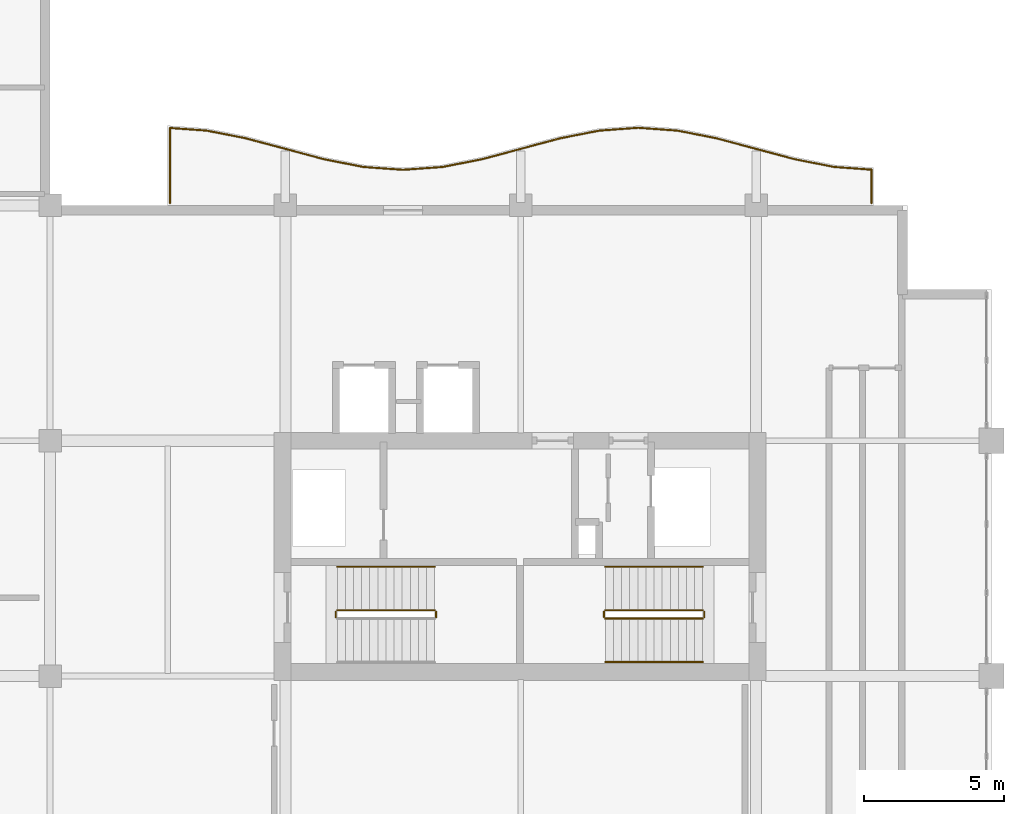
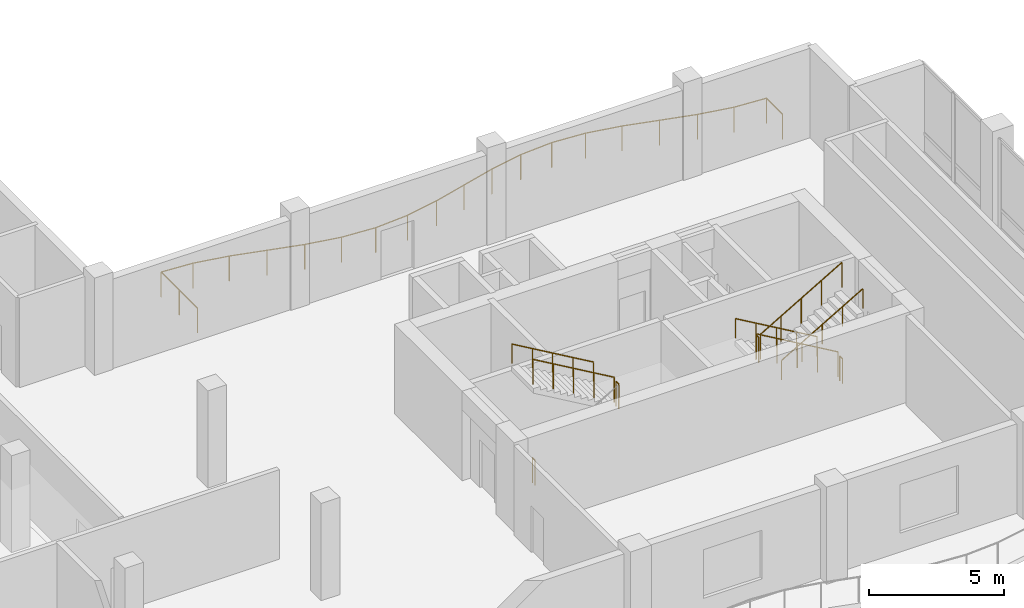
# One storey, part 14 of 15: 11 railings.
"""IFC4 building model written with IfcOpenShell, lengths in metres."""

from ifc_helpers import new_model, si_unit, direction, frame, origin, origin_2d, place, context, subcontext, project, spatial, circle, extrude, material, type_object, element, save


model = new_model("IFC4")

# Units and contexts
model_context = context("Model", 3, precision=1e-05, world=origin(), true_north=direction((0.0, 1.0)))
body_context = subcontext(model_context, "Body", "Model", "MODEL_VIEW")
ifc_project = project(units=[si_unit("LENGTHUNIT", "METRE"), si_unit("AREAUNIT", "SQUARE_METRE"), si_unit("VOLUMEUNIT", "CUBIC_METRE"), si_unit("PLANEANGLEUNIT", "RADIAN"), si_unit("MASSUNIT", "GRAM", prefix="KILO")], contexts=[model_context])

# Site, building, storey
site_placement = place(None, origin())
site = spatial("IfcSite", under=ifc_project, at=site_placement, CompositionType="ELEMENT")
building_placement = place(site_placement, origin())
building = spatial("IfcBuilding", under=site, at=building_placement, Name="Koriwani Terraces Tower", CompositionType="ELEMENT")
storey_placement = place(building_placement, frame((0.0, 0.0, 290.39990234375)))
storey = spatial("IfcBuildingStorey", under=building, at=storey_placement, Name="L72", CompositionType="ELEMENT", Elevation=290.39990234375)

# Railings
ifc_material = material(Name="Steel ASTM A572 Grade 50", Category="steel")
railing_type_1 = type_object("IfcRailingType", Name="GUARD_BALUSTRADE_1150", PredefinedType="BALUSTRADE", material=ifc_material)
railing_1_placement = place(storey_placement, frame((62.919921875, 33.679931640625, 0.0)))
element("IfcRailing", 1, at=railing_1_placement, inside=storey, type_object=railing_type_1, Name="L72 Balcony Perimeter Safety Balustrade (NE)", PredefinedType="BALUSTRADE", context=body_context, shape_type="SweptSolid", body=[
    extrude(circle(Radius=0.02392578125, at=origin_2d()), frame((0.0, 0.0, 1.1259765625), z_axis=(0.0, 1.0, 0.0), x_axis=(-1.0, 0.0, 0.0)), (0.0, 0.0, 1.0), 1.195556640625),
    extrude(circle(Radius=0.02392578125, at=origin_2d()), frame((0.0, 1.195556640625, 1.1259765625), z_axis=(-0.997410163072, 0.071923338365, 0.0), x_axis=(-0.071923338365, -0.997410163072, 0.0)), (0.0, 0.0, 1.0), 1.333984375),
    extrude(circle(Radius=0.02392578125, at=origin_2d()), frame((-1.33056640625, 1.29150390625, 1.1259765625), z_axis=(-0.981358469957, 0.192186246762, 0.0), x_axis=(-0.192186246762, -0.981358469957, 0.0)), (0.0, 0.0, 1.0), 1.434326171875),
    extrude(circle(Radius=0.02392578125, at=origin_2d()), frame((-2.738037109375, 1.567138671875, 1.1259765625), z_axis=(-0.96594917914, 0.258731875344, 0.0), x_axis=(-0.258731875344, -0.96594917914, 0.0)), (0.0, 0.0, 1.0), 2.898681640625),
    extrude(circle(Radius=0.02392578125, at=origin_2d()), frame((-5.5380859375, 2.317138671875, 1.1259765625), z_axis=(-0.981321393675, 0.19237547223, 0.0), x_axis=(-0.19237547223, -0.981321393675, 0.0)), (0.0, 0.0, 1.0), 1.4189453125),
    extrude(circle(Radius=0.02392578125, at=origin_2d()), frame((-6.930419921875, 2.590087890625, 1.1259765625), z_axis=(-0.997427466293, 0.07168297904, 0.0), x_axis=(-0.07168297904, -0.997427466293, 0.0)), (0.0, 0.0, 1.0), 1.39306640625),
    extrude(circle(Radius=0.02392578125, at=origin_2d()), frame((-8.31982421875, 2.68994140625, 1.1259765625), z_axis=(-0.997427466293, -0.07168297904, 0.0), x_axis=(0.07168297904, -0.997427466293, 0.0)), (0.0, 0.0, 1.0), 1.39306640625),
    extrude(circle(Radius=0.02392578125, at=origin_2d()), frame((-9.709228515625, 2.590087890625, 1.1259765625), z_axis=(-0.981327760125, -0.192342993657, 0.0), x_axis=(0.192342993657, -0.981327760125, 0.0)), (0.0, 0.0, 1.0), 1.419189453125),
    extrude(circle(Radius=0.02392578125, at=origin_2d()), frame((-11.101806640625, 2.317138671875, 1.1259765625), z_axis=(-0.96594917914, -0.258731875344, 0.0), x_axis=(0.258731875344, -0.96594917914, 0.0)), (0.0, 0.0, 1.0), 2.898681640625),
    extrude(circle(Radius=0.02392578125, at=origin_2d()), frame((-13.90185546875, 1.567138671875, 1.1259765625), z_axis=(-0.981358469957, -0.192186246762, 0.0), x_axis=(0.192186246762, -0.981358469957, 0.0)), (0.0, 0.0, 1.0), 1.434326171875),
    extrude(circle(Radius=0.02392578125, at=origin_2d()), frame((-15.309326171875, 1.29150390625, 1.1259765625), z_axis=(-0.997430581876, -0.071639614309, 0.0), x_axis=(0.071639614309, -0.997430581876, 0.0)), (0.0, 0.0, 1.0), 1.414306640625),
    extrude(circle(Radius=0.02392578125, at=origin_2d()), frame((-16.719970703125, 1.190185546875, 1.1259765625), z_axis=(-0.997430581876, 0.071639614309, 0.0), x_axis=(-0.071639614309, -0.997430581876, 0.0)), (0.0, 0.0, 1.0), 1.414306640625),
    extrude(circle(Radius=0.02392578125, at=origin_2d()), frame((-18.130615234375, 1.29150390625, 1.1259765625), z_axis=(-0.981352180954, 0.192218357442, 0.0), x_axis=(-0.192218357442, -0.981352180954, 0.0)), (0.0, 0.0, 1.0), 1.43408203125),
    extrude(circle(Radius=0.02392578125, at=origin_2d()), frame((-19.537841796875, 1.567138671875, 1.1259765625), z_axis=(-0.965954816498, 0.258710827923, 0.0), x_axis=(-0.258710827923, -0.965954816498, 0.0)), (0.0, 0.0, 1.0), 2.89892578125),
    extrude(circle(Radius=0.02392578125, at=origin_2d()), frame((-22.338134765625, 2.317138671875, 1.1259765625), z_axis=(-0.981321393675, 0.19237547223, 0.0), x_axis=(-0.19237547223, -0.981321393675, 0.0)), (0.0, 0.0, 1.0), 1.4189453125),
    extrude(circle(Radius=0.02392578125, at=origin_2d()), frame((-23.73046875, 2.590087890625, 1.1259765625), z_axis=(-0.997434099073, 0.071590627916, 0.0), x_axis=(-0.071590627916, -0.997434099073, 0.0)), (0.0, 0.0, 1.0), 1.31298828125),
    extrude(circle(Radius=0.02392578125, at=origin_2d()), frame((-25.0400390625, 2.68408203125, 1.1259765625), z_axis=(0.0, -1.0, 0.0), x_axis=(1.0, 0.0, 0.0)), (0.0, 0.0, 1.0), 2.68408203125),
    extrude(circle(Radius=0.02099609375, at=origin_2d()), origin(), (0.0, 0.0, 1.0), 1.101806640625),
    extrude(circle(Radius=0.02099609375, at=origin_2d()), frame((0.0, 1.195556640625, 0.0)), (0.0, 0.0, 1.0), 1.101806640625),
    extrude(circle(Radius=0.02099609375, at=origin_2d()), frame((-1.33056640625, 1.29150390625, 0.0)), (0.0, 0.0, 1.0), 1.101806640625),
    extrude(circle(Radius=0.02099609375, at=origin_2d()), frame((-2.738037109375, 1.567138671875, 0.0)), (0.0, 0.0, 1.0), 1.101806640625),
    extrude(circle(Radius=0.02099609375, at=origin_2d()), frame((-4.13818359375, 1.942138671875, 0.0)), (0.0, 0.0, 1.0), 1.101806640625),
    extrude(circle(Radius=0.02099609375, at=origin_2d()), frame((-5.5380859375, 2.317138671875, 0.0)), (0.0, 0.0, 1.0), 1.101806640625),
    extrude(circle(Radius=0.02099609375, at=origin_2d()), frame((-6.930419921875, 2.590087890625, 0.0)), (0.0, 0.0, 1.0), 1.101806640625),
    extrude(circle(Radius=0.02099609375, at=origin_2d()), frame((-8.31982421875, 2.68994140625, 0.0)), (0.0, 0.0, 1.0), 1.101806640625),
    extrude(circle(Radius=0.02099609375, at=origin_2d()), frame((-9.709228515625, 2.590087890625, 0.0)), (0.0, 0.0, 1.0), 1.101806640625),
    extrude(circle(Radius=0.02099609375, at=origin_2d()), frame((-11.101806640625, 2.317138671875, 0.0)), (0.0, 0.0, 1.0), 1.101806640625),
    extrude(circle(Radius=0.02099609375, at=origin_2d()), frame((-12.501953125, 1.942138671875, 0.0)), (0.0, 0.0, 1.0), 1.101806640625),
    extrude(circle(Radius=0.02099609375, at=origin_2d()), frame((-13.90185546875, 1.567138671875, 0.0)), (0.0, 0.0, 1.0), 1.101806640625),
    extrude(circle(Radius=0.02099609375, at=origin_2d()), frame((-15.309326171875, 1.29150390625, 0.0)), (0.0, 0.0, 1.0), 1.101806640625),
    extrude(circle(Radius=0.02099609375, at=origin_2d()), frame((-16.719970703125, 1.190185546875, 0.0)), (0.0, 0.0, 1.0), 1.101806640625),
    extrude(circle(Radius=0.02099609375, at=origin_2d()), frame((-18.130615234375, 1.29150390625, 0.0)), (0.0, 0.0, 1.0), 1.101806640625),
    extrude(circle(Radius=0.02099609375, at=origin_2d()), frame((-19.537841796875, 1.567138671875, 0.0)), (0.0, 0.0, 1.0), 1.101806640625),
    extrude(circle(Radius=0.02099609375, at=origin_2d()), frame((-20.93798828125, 1.942138671875, 0.0)), (0.0, 0.0, 1.0), 1.101806640625),
    extrude(circle(Radius=0.02099609375, at=origin_2d()), frame((-22.338134765625, 2.317138671875, 0.0)), (0.0, 0.0, 1.0), 1.101806640625),
    extrude(circle(Radius=0.02099609375, at=origin_2d()), frame((-23.73046875, 2.590087890625, 0.0)), (0.0, 0.0, 1.0), 1.101806640625),
    extrude(circle(Radius=0.02099609375, at=origin_2d()), frame((-25.0400390625, 2.68408203125, 0.0)), (0.0, 0.0, 1.0), 1.101806640625),
    extrude(circle(Radius=0.02099609375, at=origin_2d()), frame((-25.0400390625, 1.342041015625, 0.0)), (0.0, 0.0, 1.0), 1.101806640625),
    extrude(circle(Radius=0.02099609375, at=origin_2d()), frame((-25.0400390625, 0.0, 0.0)), (0.0, 0.0, 1.0), 1.101806640625),
])
railing_type_2 = type_object("IfcRailingType", Name="GUARD_STAIR_WELL_1120", PredefinedType="GUARDRAIL", material=ifc_material)
railing_2_placement = place(storey_placement, frame((47.3798828125, 18.89990234375, 2.2001953125)))
element("IfcRailing", 2, at=railing_2_placement, inside=storey, type_object=railing_type_2, Name="L72 ST-E1 stair guard 2", PredefinedType="GUARDRAIL", context=body_context, shape_type="SweptSolid", body=[
    extrude(circle(Radius=0.02392578125, at=origin_2d()), frame((0.0, 0.0, 1.1259765625), z_axis=(0.0, 1.0, 0.0), x_axis=(-1.0, 0.0, 0.0)), (0.0, 0.0, 1.0), 0.2001953125),
    extrude(circle(Radius=0.02099609375, at=origin_2d()), origin(), (0.0, 0.0, 1.0), 1.101806640625),
    extrude(circle(Radius=0.02099609375, at=origin_2d()), frame((0.0, 0.2001953125, 0.0)), (0.0, 0.0, 1.0), 1.101806640625),
])
railing_3_placement = place(storey_placement, frame((47.330078125, 19.14990234375, 2.369384765625)))
element("IfcRailing", 3, at=railing_3_placement, inside=storey, type_object=railing_type_2, Name="L72 ST-E1 stair guard 3", PredefinedType="GUARDRAIL", context=body_context, shape_type="SweptSolid", body=[
    extrude(circle(Radius=0.02392578125, at=origin_2d()), frame((0.0, 0.0, 1.1259765625), z_axis=(-0.863695377172, 0.0, 0.504014181796), x_axis=(0.0, -1.0, 0.0)), (0.0, 0.0, 1.0), 4.029296875),
    extrude(circle(Radius=0.02099609375, at=origin_2d()), origin(), (0.0, 0.0, 1.0), 1.101806640625),
    extrude(circle(Radius=0.02099609375, at=origin_2d()), frame((-0.8701171875, 0.0, 0.5078125)), (0.0, 0.0, 1.0), 1.101806640625),
    extrude(circle(Radius=0.02099609375, at=origin_2d()), frame((-1.739990234375, 0.0, 1.015380859375)), (0.0, 0.0, 1.0), 1.101806640625),
    extrude(circle(Radius=0.02099609375, at=origin_2d()), frame((-2.60986328125, 0.0, 1.52294921875)), (0.0, 0.0, 1.0), 1.101806640625),
    extrude(circle(Radius=0.02099609375, at=origin_2d()), frame((-3.47998046875, 0.0, 2.03076171875)), (0.0, 0.0, 1.0), 1.101806640625),
])
railing_4_placement = place(storey_placement, frame((43.800048828125, 18.89990234375, 0.0)))
element("IfcRailing", 4, at=railing_4_placement, inside=storey, type_object=railing_type_2, Name="L72 ST-E1 stair guard 4", PredefinedType="GUARDRAIL", context=body_context, shape_type="SweptSolid", body=[
    extrude(circle(Radius=0.02392578125, at=origin_2d()), frame((0.0, 0.0, 1.1259765625), z_axis=(0.0, 1.0, 0.0), x_axis=(-1.0, 0.0, 0.0)), (0.0, 0.0, 1.0), 0.2001953125),
    extrude(circle(Radius=0.02099609375, at=origin_2d()), origin(), (0.0, 0.0, 1.0), 1.101806640625),
    extrude(circle(Radius=0.02099609375, at=origin_2d()), frame((0.0, 0.2001953125, 0.0)), (0.0, 0.0, 1.0), 1.101806640625),
])
railing_5_placement = place(storey_placement, frame((56.89990234375, 19.14990234375, 0.16943359375)))
element("IfcRailing", 5, at=railing_5_placement, inside=storey, type_object=railing_type_2, Name="L72 ST-E2 stair guard 1", PredefinedType="GUARDRAIL", context=body_context, shape_type="SweptSolid", body=[
    extrude(circle(Radius=0.02392578125, at=origin_2d()), frame((0.0, 0.0, 1.1259765625), z_axis=(-0.863695377172, 0.0, 0.504014181796), x_axis=(0.0, -1.0, 0.0)), (0.0, 0.0, 1.0), 4.029296875),
    extrude(circle(Radius=0.02099609375, at=origin_2d()), origin(), (0.0, 0.0, 1.0), 1.101806640625),
    extrude(circle(Radius=0.02099609375, at=origin_2d()), frame((-0.8701171875, 0.0, 0.5078125)), (0.0, 0.0, 1.0), 1.101806640625),
    extrude(circle(Radius=0.02099609375, at=origin_2d()), frame((-1.739990234375, 0.0, 1.015380859375)), (0.0, 0.0, 1.0), 1.101806640625),
    extrude(circle(Radius=0.02099609375, at=origin_2d()), frame((-2.60986328125, 0.0, 1.52294921875)), (0.0, 0.0, 1.0), 1.101806640625),
    extrude(circle(Radius=0.02099609375, at=origin_2d()), frame((-3.47998046875, 0.0, 2.03076171875)), (0.0, 0.0, 1.0), 1.101806640625),
])
railing_6_placement = place(storey_placement, frame((53.3701171875, 19.10009765625, 2.2001953125)))
element("IfcRailing", 6, at=railing_6_placement, inside=storey, type_object=railing_type_2, Name="L72 ST-E2 stair guard 2", PredefinedType="GUARDRAIL", context=body_context, shape_type="SweptSolid", body=[
    extrude(circle(Radius=0.02392578125, at=origin_2d()), frame((0.0, 0.0, 1.1259765625), z_axis=(0.0, -1.0, 0.0), x_axis=(1.0, 0.0, 0.0)), (0.0, 0.0, 1.0), 0.2001953125),
    extrude(circle(Radius=0.02099609375, at=origin_2d()), origin(), (0.0, 0.0, 1.0), 1.101806640625),
    extrude(circle(Radius=0.02099609375, at=origin_2d()), frame((0.0, -0.2001953125, 0.0)), (0.0, 0.0, 1.0), 1.101806640625),
])
railing_7_placement = place(storey_placement, frame((53.419921875, 18.85009765625, 2.369384765625)))
element("IfcRailing", 7, at=railing_7_placement, inside=storey, type_object=railing_type_2, Name="L72 ST-E2 stair guard 3", PredefinedType="GUARDRAIL", context=body_context, shape_type="SweptSolid", body=[
    extrude(circle(Radius=0.02392578125, at=origin_2d()), frame((0.0, 0.0, 1.1259765625), z_axis=(0.863695377172, 0.0, 0.504014181796), x_axis=(0.0, 1.0, 0.0)), (0.0, 0.0, 1.0), 4.029296875),
    extrude(circle(Radius=0.02099609375, at=origin_2d()), origin(), (0.0, 0.0, 1.0), 1.101806640625),
    extrude(circle(Radius=0.02099609375, at=origin_2d()), frame((0.8701171875, 0.0, 0.5078125)), (0.0, 0.0, 1.0), 1.101806640625),
    extrude(circle(Radius=0.02099609375, at=origin_2d()), frame((1.739990234375, 0.0, 1.015380859375)), (0.0, 0.0, 1.0), 1.101806640625),
    extrude(circle(Radius=0.02099609375, at=origin_2d()), frame((2.60986328125, 0.0, 1.52294921875)), (0.0, 0.0, 1.0), 1.101806640625),
    extrude(circle(Radius=0.02099609375, at=origin_2d()), frame((3.47998046875, 0.0, 2.03076171875)), (0.0, 0.0, 1.0), 1.101806640625),
])
railing_8_placement = place(storey_placement, frame((56.949951171875, 19.10009765625, 0.0)))
element("IfcRailing", 8, at=railing_8_placement, inside=storey, type_object=railing_type_2, Name="L72 ST-E2 stair guard 4", PredefinedType="GUARDRAIL", context=body_context, shape_type="SweptSolid", body=[
    extrude(circle(Radius=0.02392578125, at=origin_2d()), frame((0.0, 0.0, 1.1259765625), z_axis=(0.0, -1.0, 0.0), x_axis=(1.0, 0.0, 0.0)), (0.0, 0.0, 1.0), 0.2001953125),
    extrude(circle(Radius=0.02099609375, at=origin_2d()), origin(), (0.0, 0.0, 1.0), 1.101806640625),
    extrude(circle(Radius=0.02099609375, at=origin_2d()), frame((0.0, -0.2001953125, 0.0)), (0.0, 0.0, 1.0), 1.101806640625),
])
railing_type_3 = type_object("IfcRailingType", Name="HANDRAIL_STAIR_920", PredefinedType="HANDRAIL", material=ifc_material)
for number, where, name in (
    (9, (47.330078125, 20.699951171875, 2.369384765625), "L72 ST-E1 stair handrail 2"),
    (10, (56.89990234375, 20.699951171875, 0.16943359375), "L72 ST-E2 stair handrail 1"),
):
    element("IfcRailing", number, at=place(storey_placement, frame(where)), inside=storey, type_object=railing_type_3, Name=name, PredefinedType="HANDRAIL", context=body_context, shape_type="SweptSolid", body=[
        extrude(circle(Radius=0.02392578125, at=origin_2d()), frame((0.0, 0.0, 0.8759765625), z_axis=(-0.863695377172, 0.0, 0.504014181796), x_axis=(0.0, -1.0, 0.0)), (0.0, 0.0, 1.0), 4.029296875),
        extrude(circle(Radius=0.02099609375, at=origin_2d()), origin(), (0.0, 0.0, 1.0), 0.851806640625),
        extrude(circle(Radius=0.02099609375, at=origin_2d()), frame((-0.8701171875, 0.0, 0.5078125)), (0.0, 0.0, 1.0), 0.851806640625),
        extrude(circle(Radius=0.02099609375, at=origin_2d()), frame((-1.739990234375, 0.0, 1.015380859375)), (0.0, 0.0, 1.0), 0.851806640625),
        extrude(circle(Radius=0.02099609375, at=origin_2d()), frame((-2.60986328125, 0.0, 1.52294921875)), (0.0, 0.0, 1.0), 0.851806640625),
        extrude(circle(Radius=0.02099609375, at=origin_2d()), frame((-3.47998046875, 0.0, 2.03076171875)), (0.0, 0.0, 1.0), 0.851806640625),
    ])
railing_9_placement = place(storey_placement, frame((53.419921875, 17.300048828125, 2.369384765625)))
element("IfcRailing", 11, at=railing_9_placement, inside=storey, type_object=railing_type_3, Name="L72 ST-E2 stair handrail 2", PredefinedType="HANDRAIL", context=body_context, shape_type="SweptSolid", body=[
    extrude(circle(Radius=0.02392578125, at=origin_2d()), frame((0.0, 0.0, 0.8759765625), z_axis=(0.863695377172, 0.0, 0.504014181796), x_axis=(0.0, 1.0, 0.0)), (0.0, 0.0, 1.0), 4.029296875),
    extrude(circle(Radius=0.02099609375, at=origin_2d()), origin(), (0.0, 0.0, 1.0), 0.851806640625),
    extrude(circle(Radius=0.02099609375, at=origin_2d()), frame((0.8701171875, 0.0, 0.5078125)), (0.0, 0.0, 1.0), 0.851806640625),
    extrude(circle(Radius=0.02099609375, at=origin_2d()), frame((1.739990234375, 0.0, 1.015380859375)), (0.0, 0.0, 1.0), 0.851806640625),
    extrude(circle(Radius=0.02099609375, at=origin_2d()), frame((2.60986328125, 0.0, 1.52294921875)), (0.0, 0.0, 1.0), 0.851806640625),
    extrude(circle(Radius=0.02099609375, at=origin_2d()), frame((3.47998046875, 0.0, 2.03076171875)), (0.0, 0.0, 1.0), 0.851806640625),
])

save(model, "model.ifc")
